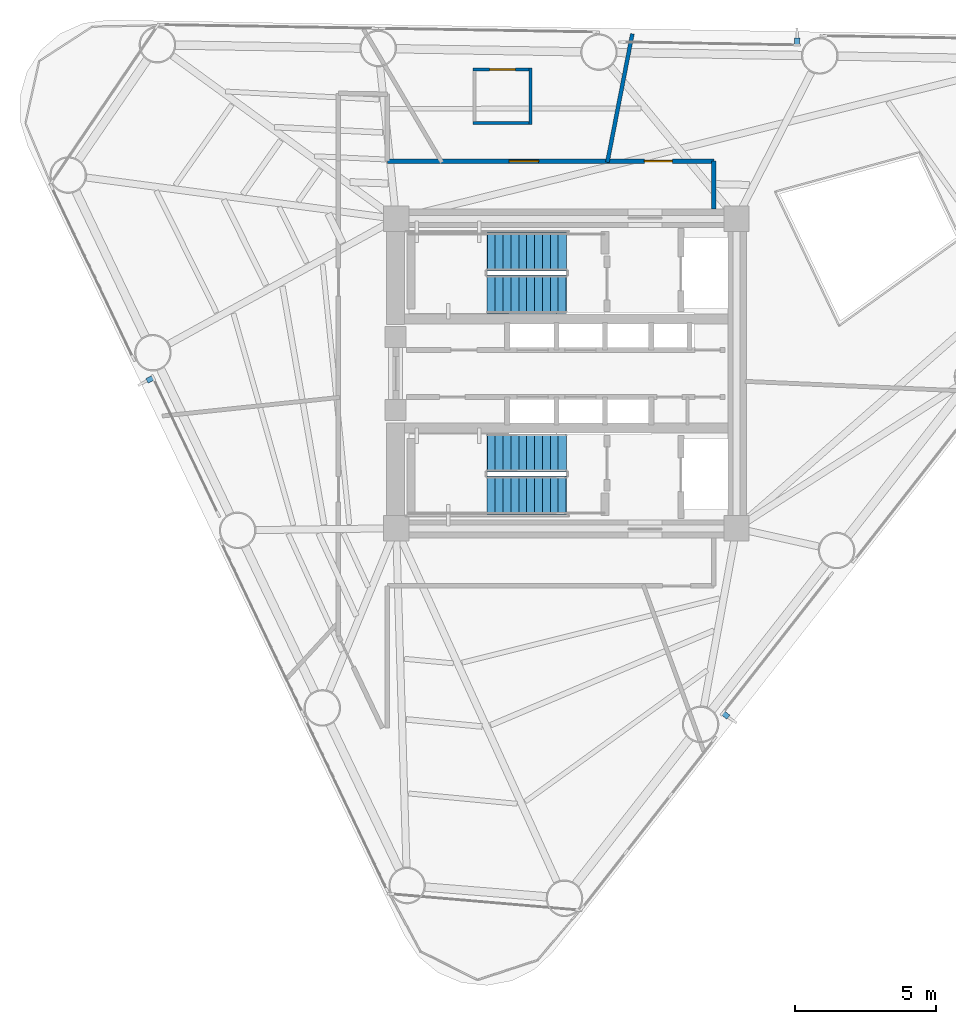
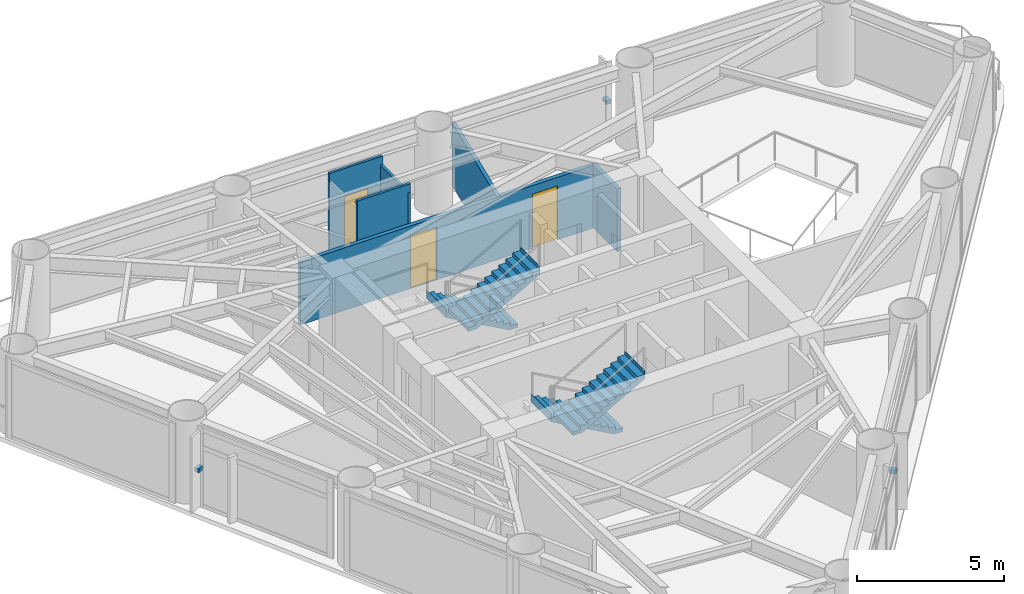
# One storey, part 7 of 10: 6 walls, 4 stair flights, 3 discrete accessories, 3 doors, 3 openings, 2 elements without a shape of their own.
"""IFC4 building model written with IfcOpenShell, lengths in metres."""

from ifc_helpers import new_model, si_unit, direction, frame, frame_2d, origin, origin_2d, place, context, subcontext, project, spatial, polyline, rectangle, outline, extrude, source, transform, mapped, material, layer, layer_set, type_object, element, fill, aggregate, save


model = new_model("IFC4")

# Units and contexts
model_context = context("Model", 3, precision=1e-05, world=origin(), true_north=direction((0.0, 1.0)))
body_context = subcontext(model_context, "Body", "Model", "MODEL_VIEW")
ifc_project = project(units=[si_unit("LENGTHUNIT", "METRE"), si_unit("AREAUNIT", "SQUARE_METRE"), si_unit("VOLUMEUNIT", "CUBIC_METRE"), si_unit("PLANEANGLEUNIT", "RADIAN"), si_unit("MASSUNIT", "GRAM", prefix="KILO")], contexts=[model_context])

# Site, building, storey
site_placement = place(None, origin())
site = spatial("IfcSite", under=ifc_project, at=site_placement, CompositionType="ELEMENT")
building_placement = place(site_placement, origin())
building = spatial("IfcBuilding", under=site, at=building_placement, Name="Yunling Apex Tower", CompositionType="ELEMENT")
storey_placement = place(building_placement, frame((0.0, 0.0, 132.949951171875)))
storey = spatial("IfcBuildingStorey", under=building, at=storey_placement, Name="L32", CompositionType="ELEMENT", Elevation=132.949951171875)

# Wall, openings, doors
ifc_material_1 = material(Name="Gypsum board acoustic partition")
ifc_layer_1 = layer(ifc_material_1, 0.159912109375)
ifc_layer_set_1 = layer_set([ifc_layer_1], Name="Gypsum board acoustic partition")
wall_type_1 = type_object("IfcWallType", Name="WL-PRT-1", PredefinedType="PARTITIONING", material=ifc_layer_set_1)
wall_1_placement = place(storey_placement, frame((-6.360107421875, 7.550048828125, 0.0), z_axis=(0.0, 0.0, 1.0), x_axis=(1.0, 0.0, 0.0)))
wall_1 = element("IfcWall", 1, at=wall_1_placement, inside=storey, type_object=wall_type_1, Name="WL-CORR-L32-07", PredefinedType="PARTITIONING", context=body_context, shape_type="SweptSolid", body=[
    extrude(rectangle(XDim=11.610107421875, YDim=0.159912109375, at=frame_2d((5.80517578125, 0.0))), origin(), (0.0, 0.0, 1.0), 2.60498046875),
])
opening_1_placement = place(wall_1_placement, frame((4.330322265625, 0.0, 0.0)))
opening_1 = element("IfcOpeningElement", 2, at=opening_1_placement, cuts=wall_1, Name="Opening DR-FL-1", PredefinedType="OPENING", context=body_context, shape_type="SweptSolid", body=[
    extrude(rectangle(XDim=1.050048828125, YDim=2.199951171875, at=frame_2d((0.52490234375, 1.10009765625))), frame((0.0, 0.08984375, 0.0), z_axis=(0.0, -1.0, 0.0), x_axis=(1.0, 0.0, 0.0)), (0.0, 0.0, 1.0), 0.179931640625),
])
opening_2_placement = place(wall_1_placement, frame((9.13330078125, 0.0, 0.0)))
opening_2 = element("IfcOpeningElement", 3, at=opening_2_placement, cuts=wall_1, Name="Opening DR-OFF-1", PredefinedType="OPENING", context=body_context, shape_type="SweptSolid", body=[
    extrude(rectangle(XDim=1.0, YDim=2.25, at=frame_2d((0.5, 1.125))), frame((0.0, 0.08984375, 0.0), z_axis=(0.0, -1.0, 0.0), x_axis=(1.0, 0.0, 0.0)), (0.0, 0.0, 1.0), 0.179931640625),
])
ifc_material_2 = material(Name="Timber fire-rated leaf", Category="wood")
door_type_1 = type_object("IfcDoorType", Name="DR-FL-1", OperationType="NOTDEFINED", PredefinedType="DOOR", material=ifc_material_2)
door_1_placement = place(opening_1_placement, origin())
door_1 = element("IfcDoor", 4, at=door_1_placement, inside=storey, type_object=door_type_1, Name="L32 Hotel Guest Room Door", OperationType="SINGLE_SWING_LEFT", OverallHeight=2.199951171875, OverallWidth=1.050048828125, PredefinedType="DOOR", context=body_context, shape_type="SweptSolid", body=[
    extrude(rectangle(XDim=1.050048828125, YDim=2.199951171875, at=frame_2d((0.52490234375, 1.10009765625))), frame((0.0, 0.02490234375, 0.0), z_axis=(0.0, -1.0, 0.0), x_axis=(1.0, 0.0, 0.0)), (0.0, 0.0, 1.0), 0.050048828125),
])
fill(opening_1, door_1)
ifc_material_3 = material(Name="Bronze anodised aluminium", Category="aluminium")
door_type_2 = type_object("IfcDoorType", Name="DR-OFF-1", OperationType="NOTDEFINED", PredefinedType="DOOR", material=ifc_material_3)
door_2_placement = place(opening_2_placement, origin())
door_2 = element("IfcDoor", 5, at=door_2_placement, inside=storey, type_object=door_type_2, Name="L32 Club Lounge Door", OperationType="SINGLE_SWING_RIGHT", OverallHeight=2.25, OverallWidth=1.0, PredefinedType="DOOR", context=body_context, shape_type="SweptSolid", body=[
    extrude(rectangle(XDim=1.0, YDim=2.25, at=frame_2d((0.5, 1.125))), frame((0.0, 0.02490234375, 0.0), z_axis=(0.0, -1.0, 0.0), x_axis=(1.0, 0.0, 0.0)), (0.0, 0.0, 1.0), 0.050048828125),
])
fill(opening_2, door_2)

# Walls
wall_2_placement = place(storey_placement, frame((5.25, 7.550048828125, 0.0), z_axis=(0.0, 0.0, 1.0), x_axis=(0.0, -1.0, 0.0)))
element("IfcWall", 6, at=wall_2_placement, inside=storey, type_object=wall_type_1, Name="WL-CORR-L32-08", PredefinedType="PARTITIONING", context=body_context, shape_type="SweptSolid", body=[
    extrude(rectangle(XDim=1.699951171875, YDim=0.159912109375, at=frame_2d((0.85009765625, 0.0))), origin(), (0.0, 0.0, 1.0), 2.60498046875),
])
ifc_layer_2 = layer(ifc_material_1, 0.139892578125)
ifc_layer_set_2 = layer_set([ifc_layer_2], Name="Gypsum board acoustic partition")
wall_type_2 = type_object("IfcWallType", Name="WL-PRT-2", PredefinedType="PARTITIONING", material=ifc_layer_set_2)
wall_3_placement = place(storey_placement, frame((1.459716796875, 7.510009765625, 0.0), z_axis=(0.0, 0.0, 1.0), x_axis=(0.19080504805, 0.981627950722, 0.0)))
element("IfcWall", 7, at=wall_3_placement, inside=storey, type_object=wall_type_2, Name="WL-RAD-L32-02", PredefinedType="PARTITIONING", context=body_context, shape_type="SweptSolid", body=[
    extrude(rectangle(XDim=4.65234375, YDim=0.139892578125, at=frame_2d((2.326171875, 0.0))), origin(), (0.0, 0.0, 1.0), 2.60498046875),
])

# Wall, opening, door
ifc_layer_3 = layer(ifc_material_1, 0.10009765625)
ifc_layer_set_3 = layer_set([ifc_layer_3], Name="Gypsum board acoustic partition")
wall_type_3 = type_object("IfcWallType", Name="WL-PRT-4", PredefinedType="PARTITIONING", material=ifc_layer_set_3)
wall_4_placement = place(storey_placement, frame((-3.318115234375, 10.804931640625, 0.0), z_axis=(0.0, 0.0, 1.0), x_axis=(1.0, 0.0, 0.0)))
wall_4 = element("IfcWall", 8, at=wall_4_placement, inside=storey, type_object=wall_type_3, Name="WL-ENS-L32-5N", PredefinedType="PARTITIONING", context=body_context, shape_type="SweptSolid", body=[
    extrude(rectangle(XDim=2.10009765625, YDim=0.10009765625, at=frame_2d((1.050048828125, 0.0))), origin(), (0.0, 0.0, 1.0), 3.25),
])
opening_3_placement = place(wall_4_placement, frame((0.590087890625, 0.0, 0.0)))
opening_3 = element("IfcOpeningElement", 9, at=opening_3_placement, cuts=wall_4, Name="Opening DR-WC-1", PredefinedType="OPENING", context=body_context, shape_type="SweptSolid", body=[
    extrude(rectangle(XDim=0.919921875, YDim=2.10009765625, at=frame_2d((0.4599609375, 1.050048828125))), frame((0.0, 0.06005859375, 0.0), z_axis=(0.0, -1.0, 0.0), x_axis=(1.0, 0.0, 0.0)), (0.0, 0.0, 1.0), 0.1201171875),
])
ifc_material_4 = material(Name="Timber moisture-resistant leaf", Category="wood")
door_type_3 = type_object("IfcDoorType", Name="DR-WC-1", OperationType="NOTDEFINED", PredefinedType="DOOR", material=ifc_material_4)
door_3_placement = place(opening_3_placement, origin())
door_3 = element("IfcDoor", 10, at=door_3_placement, inside=storey, type_object=door_type_3, Name="L32 En-Suite Door", OperationType="SINGLE_SWING_LEFT", OverallHeight=2.10009765625, OverallWidth=0.919921875, PredefinedType="DOOR", context=body_context, shape_type="SweptSolid", body=[
    extrude(rectangle(XDim=0.919921875, YDim=2.10009765625, at=frame_2d((0.4599609375, 1.050048828125))), frame((0.0, 0.02490234375, 0.0), z_axis=(0.0, -1.0, 0.0), x_axis=(1.0, 0.0, 0.0)), (0.0, 0.0, 1.0), 0.050048828125),
])
fill(opening_3, door_3)

# Walls
wall_5_placement = place(storey_placement, frame((-1.218017578125, 8.905029296875, 0.0), z_axis=(0.0, 0.0, 1.0), x_axis=(-1.0, 0.0, 0.0)))
element("IfcWall", 11, at=wall_5_placement, inside=storey, type_object=wall_type_3, Name="WL-ENS-L32-5S", PredefinedType="PARTITIONING", context=body_context, shape_type="SweptSolid", body=[
    extrude(rectangle(XDim=2.10009765625, YDim=0.10009765625, at=frame_2d((1.050048828125, 0.0))), origin(), (0.0, 0.0, 1.0), 3.25),
])
wall_6_placement = place(storey_placement, frame((-1.26806640625, 10.85498046875, 0.0), z_axis=(0.0, 0.0, 1.0), x_axis=(0.0, -1.0, 0.0)))
element("IfcWall", 12, at=wall_6_placement, inside=storey, type_object=wall_type_3, Name="WL-ENS-L32-5E", PredefinedType="PARTITIONING", context=body_context, shape_type="SweptSolid", body=[
    extrude(rectangle(XDim=2.0, YDim=0.10009765625, at=frame_2d((1.0, 0.0))), origin(), (0.0, 0.0, 1.0), 2.905029296875),
])

# Stair, stair flights
ifc_material_5 = material(Name="Concrete C40", Category="concrete")
stair_type = type_object("IfcStairType", Name="ST-TWR-2", PredefinedType="HALF_TURN_STAIR", material=ifc_material_5)
stair_1_placement = place(storey_placement, origin())
stair_1 = element("IfcStair", 13, at=stair_1_placement, inside=storey, type_object=stair_type, Name="L32 North Core Smokeproof Exit Stair ST-1", PredefinedType="HALF_TURN_STAIR")
stair_flight_type = type_object("IfcStairFlightType", Name="SFL-TWR-2", PredefinedType="STRAIGHT", material=ifc_material_5)
stair_flight_1_placement = place(storey_placement, frame((-0.010009765625, 4.330078125, 0.0), z_axis=(0.0, 0.0, 1.0), x_axis=(-1.0, 0.0, 0.0)))
stair_flight_1 = element("IfcStairFlight", 14, at=stair_flight_1_placement, type_object=stair_flight_type, Name="ST-1 flight 1", NumberOfRisers=11, NumberOfTreads=10, PredefinedType="STRAIGHT", RiserHeight=0.156818182, TreadLength=0.28, context=body_context, shape_type="SweptSolid", body=[
    extrude(outline(polyline([(-0.011962890625, 0.0), (-0.011962890625, 0.15673828125), (0.0, 0.15673828125), (0.280029296875, 0.15673828125), (0.280029296875, 0.313720703125), (0.56005859375, 0.313720703125), (0.56005859375, 0.470458984375), (0.840087890625, 0.470458984375), (0.840087890625, 0.627197265625), (1.1201171875, 0.627197265625), (1.1201171875, 0.7841796875), (1.39990234375, 0.7841796875), (1.39990234375, 0.94091796875), (1.679931640625, 0.94091796875), (1.679931640625, 1.09765625), (1.9599609375, 1.09765625), (1.9599609375, 1.254638671875), (2.239990234375, 1.254638671875), (2.239990234375, 1.411376953125), (2.52001953125, 1.411376953125), (2.52001953125, 1.568115234375), (2.800048828125, 1.568115234375), (2.800048828125, 1.72509765625), (2.81201171875, 1.72509765625), (2.81201171875, 1.385009765625), (0.3271484375, 0.0), (-0.011962890625, 0.0)])), frame((0.0, 0.68017578125, 0.0), z_axis=(0.0, -1.0, 0.0), x_axis=(1.0, 0.0, 0.0)), (0.0, 0.0, 1.0), 1.360107421875),
])
stair_flight_2_placement = place(storey_placement, frame((-2.81005859375, 2.820068359375, 1.72509765625), z_axis=(0.0, 0.0, 1.0), x_axis=(1.0, 0.0, 0.0)))
stair_flight_2 = element("IfcStairFlight", 15, at=stair_flight_2_placement, type_object=stair_flight_type, Name="ST-1 flight 2", NumberOfRisers=11, NumberOfTreads=10, PredefinedType="STRAIGHT", RiserHeight=0.156818182, TreadLength=0.28, context=body_context, shape_type="SweptSolid", body=[
    extrude(outline(polyline([(-0.011962890625, 0.0), (-0.011962890625, 0.15673828125), (0.0, 0.15673828125), (0.280029296875, 0.15673828125), (0.280029296875, 0.313720703125), (0.56005859375, 0.313720703125), (0.56005859375, 0.470458984375), (0.840087890625, 0.470458984375), (0.840087890625, 0.627197265625), (1.1201171875, 0.627197265625), (1.1201171875, 0.7841796875), (1.39990234375, 0.7841796875), (1.39990234375, 0.94091796875), (1.679931640625, 0.94091796875), (1.679931640625, 1.09765625), (1.9599609375, 1.09765625), (1.9599609375, 1.254638671875), (2.239990234375, 1.254638671875), (2.239990234375, 1.411376953125), (2.52001953125, 1.411376953125), (2.52001953125, 1.568115234375), (2.800048828125, 1.568115234375), (2.800048828125, 1.72509765625), (2.81201171875, 1.72509765625), (2.81201171875, 1.385009765625), (0.3271484375, 0.0), (-0.011962890625, 0.0)])), frame((0.0, 0.68017578125, 0.0), z_axis=(0.0, -1.0, 0.0), x_axis=(1.0, 0.0, 0.0)), (0.0, 0.0, 1.0), 1.360107421875),
])
aggregate(stair_1, [stair_flight_1, stair_flight_2])

stair_2_placement = place(storey_placement, origin())
stair_2 = element("IfcStair", 16, at=stair_2_placement, inside=storey, type_object=stair_type, Name="L32 South Core Smokeproof Exit Stair ST-2", PredefinedType="HALF_TURN_STAIR")
stair_flight_3_placement = place(storey_placement, frame((-0.010009765625, -2.820068359375, 0.0), z_axis=(0.0, 0.0, 1.0), x_axis=(-1.0, 0.0, 0.0)))
stair_flight_3 = element("IfcStairFlight", 17, at=stair_flight_3_placement, type_object=stair_flight_type, Name="ST-2 flight 1", NumberOfRisers=11, NumberOfTreads=10, PredefinedType="STRAIGHT", RiserHeight=0.156818182, TreadLength=0.28, context=body_context, shape_type="SweptSolid", body=[
    extrude(outline(polyline([(-0.011962890625, 0.0), (-0.011962890625, 0.15673828125), (0.0, 0.15673828125), (0.280029296875, 0.15673828125), (0.280029296875, 0.313720703125), (0.56005859375, 0.313720703125), (0.56005859375, 0.470458984375), (0.840087890625, 0.470458984375), (0.840087890625, 0.627197265625), (1.1201171875, 0.627197265625), (1.1201171875, 0.7841796875), (1.39990234375, 0.7841796875), (1.39990234375, 0.94091796875), (1.679931640625, 0.94091796875), (1.679931640625, 1.09765625), (1.9599609375, 1.09765625), (1.9599609375, 1.254638671875), (2.239990234375, 1.254638671875), (2.239990234375, 1.411376953125), (2.52001953125, 1.411376953125), (2.52001953125, 1.568115234375), (2.800048828125, 1.568115234375), (2.800048828125, 1.72509765625), (2.81201171875, 1.72509765625), (2.81201171875, 1.385009765625), (0.3271484375, 0.0), (-0.011962890625, 0.0)])), frame((0.0, 0.68017578125, 0.0), z_axis=(0.0, -1.0, 0.0), x_axis=(1.0, 0.0, 0.0)), (0.0, 0.0, 1.0), 1.360107421875),
])
stair_flight_4_placement = place(storey_placement, frame((-2.81005859375, -4.330078125, 1.72509765625), z_axis=(0.0, 0.0, 1.0), x_axis=(1.0, 0.0, 0.0)))
stair_flight_4 = element("IfcStairFlight", 18, at=stair_flight_4_placement, type_object=stair_flight_type, Name="ST-2 flight 2", NumberOfRisers=11, NumberOfTreads=10, PredefinedType="STRAIGHT", RiserHeight=0.156818182, TreadLength=0.28, context=body_context, shape_type="SweptSolid", body=[
    extrude(outline(polyline([(-0.011962890625, 0.0), (-0.011962890625, 0.15673828125), (0.0, 0.15673828125), (0.280029296875, 0.15673828125), (0.280029296875, 0.313720703125), (0.56005859375, 0.313720703125), (0.56005859375, 0.470458984375), (0.840087890625, 0.470458984375), (0.840087890625, 0.627197265625), (1.1201171875, 0.627197265625), (1.1201171875, 0.7841796875), (1.39990234375, 0.7841796875), (1.39990234375, 0.94091796875), (1.679931640625, 0.94091796875), (1.679931640625, 1.09765625), (1.9599609375, 1.09765625), (1.9599609375, 1.254638671875), (2.239990234375, 1.254638671875), (2.239990234375, 1.411376953125), (2.52001953125, 1.411376953125), (2.52001953125, 1.568115234375), (2.800048828125, 1.568115234375), (2.800048828125, 1.72509765625), (2.81201171875, 1.72509765625), (2.81201171875, 1.385009765625), (0.3271484375, 0.0), (-0.011962890625, 0.0)])), frame((0.0, 0.68017578125, 0.0), z_axis=(0.0, -1.0, 0.0), x_axis=(1.0, 0.0, 0.0)), (0.0, 0.0, 1.0), 1.360107421875),
])
aggregate(stair_2, [stair_flight_3, stair_flight_4])

# Discrete accessories
ifc_material_6 = material(Name="Steel Q355B", Category="steel")
discrete_accessory_type = type_object("IfcDiscreteAccessoryType", Name="BK-FIN-1", PredefinedType="BRACKET", material=ifc_material_6)
shared_shape = source(origin(), body_context, "Body", "SweptSolid", [
    extrude(rectangle(XDim=0.179931640625, YDim=0.260009765625, at=origin_2d()), origin(), (0.0, 0.0, 1.0), 0.159912109375),
])
for number, where, z_axis, x_axis, name in (
    (19, (5.658447265625, -12.135986328125, 1.55517578125), (0.0, 0.0, 1.0), (0.616211460536, 0.787580748815, 0.0), "CW-L32-F1-B2-BRK-01-1"),
    (20, (8.207763671875, 11.798828125, 1.55517578125), (0.0, 0.0, 1.0), (-0.999859635577, 0.016754376869, 0.0), "CW-L32-F2-B2-BRK-01-1"),
    (21, (-14.790283203125, -0.201416015625, 1.55517578125), (0.0, 0.0, 1.0), (0.430511096808, -0.90258528435, 0.0), "CW-L32-F3-B2-BRK-01-1"),
):
    element("IfcDiscreteAccessory", number, at=place(storey_placement, frame(where, z_axis=z_axis, x_axis=x_axis)), inside=storey, type_object=discrete_accessory_type, Name=name, PredefinedType="BRACKET", context=body_context, shape_type="MappedRepresentation", body=[
        mapped(shared_shape, transform((0.0, 0.0, 0.0), scale=1.0)),
    ])

save(model, "model.ifc")
